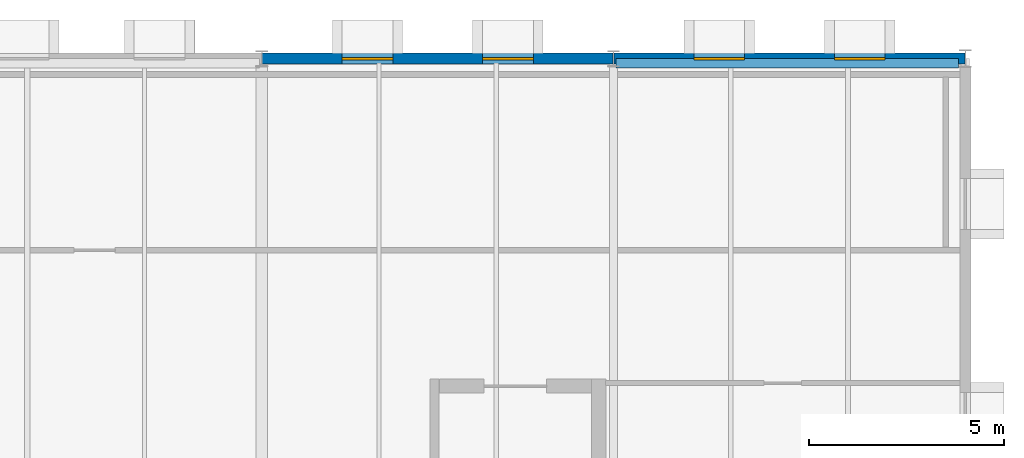
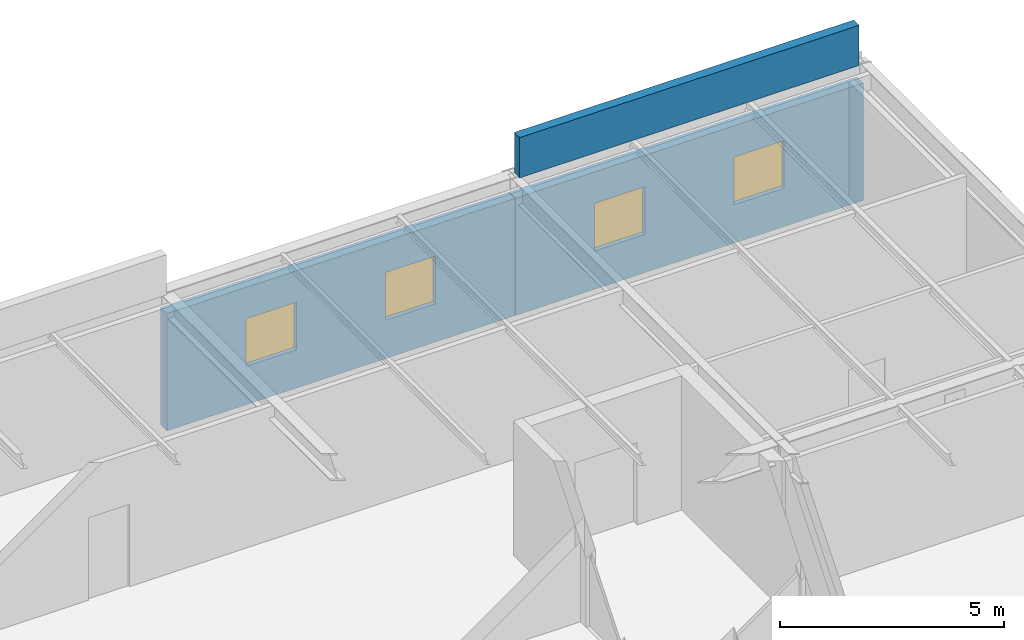
# One storey, part 15 of 16: 4 windows, 3 walls, 4 openings.
"""IFC4 building model written with IfcOpenShell, lengths in metres."""

import ifcopenshell
import ifcopenshell.guid

model = None  # the IFC model being written
_history = None  # IfcOwnerHistory: only IFC2X3 demands one
_inside = {}  # id of a spatial element -> (the spatial element, [elements in it])
_under = {}  # id of a project, library or spatial element -> (it, [spatial elements below it])
_declared = {}  # id of a project -> (the project, [libraries it declares])
_typed = {}  # id of a type object -> (the type object, [elements of that type])
_made_of = {}  # id of a material, layer set ... -> (it, [elements and type objects made of it])


def new_model(schema):
    """Start an empty IFC model of exactly this schema.

    Asked for "IFC4X3", IfcOpenShell would pick the latest addendum, in which some entities
    have other attributes; the version numbers below select the first issue.
    IFC2X3 requires an IfcOwnerHistory on every rooted entity: one is made here for all.
    """
    global model, _history
    if schema == "IFC4X3":
        model = ifcopenshell.file(schema_version=(4, 3, 0, 0))
    else:
        model = ifcopenshell.file(schema=schema)
    _inside.clear()
    _under.clear()
    _declared.clear()
    _typed.clear()
    _made_of.clear()
    _history = None
    if model.schema == "IFC2X3":
        org = make("IfcOrganization", Name="unknown")
        user = make(
            "IfcPersonAndOrganization",
            ThePerson=make("IfcPerson", FamilyName="unknown"),
            TheOrganization=org,
        )
        app = make(
            "IfcApplication",
            ApplicationDeveloper=org,
            Version="unknown",
            ApplicationFullName="unknown",
            ApplicationIdentifier="unknown",
        )
        _history = make(
            "IfcOwnerHistory",
            OwningUser=user,
            OwningApplication=app,
            ChangeAction="ADDED",
            CreationDate=0,
        )
    return model


def make(cls, **values):
    """One entity of the class cls with the attributes given. An attribute that is None is left unset."""
    return model.create_entity(
        cls, **{name: value for name, value in values.items() if value is not None}
    )


def rooted(cls, **values):
    """An entity with a GlobalId (a new one), such as an element, a storey or a relation."""
    return make(cls, GlobalId=ifcopenshell.guid.new(), OwnerHistory=_history, **values)


def si_unit(unit_type, name, prefix=None):
    """IfcSIUnit, for example si_unit("LENGTHUNIT", "METRE", prefix="MILLI")."""
    return make("IfcSIUnit", UnitType=unit_type, Prefix=prefix, Name=name)


def assignment(units):
    """IfcUnitAssignment: the units of a project."""
    return None if units is None else make("IfcUnitAssignment", Units=units)


def point(xyz):
    """IfcCartesianPoint."""
    return None if xyz is None else make("IfcCartesianPoint", Coordinates=xyz)


def direction(xyz):
    """IfcDirection."""
    return None if xyz is None else make("IfcDirection", DirectionRatios=xyz)


def frame(location, z_axis=None, x_axis=None):
    """IfcAxis2Placement3D, a coordinate frame: its origin and axes. An axis left out is left unset."""
    return make(
        "IfcAxis2Placement3D",
        Location=point(location),
        Axis=direction(z_axis),
        RefDirection=direction(x_axis),
    )


def frame_2d(location, x_axis=None):
    """IfcAxis2Placement2D, a coordinate frame in the plane: its origin and x axis."""
    return make(
        "IfcAxis2Placement2D", Location=point(location), RefDirection=direction(x_axis)
    )


def origin():
    """The frame at (0, 0, 0) with its axes left unset."""
    return frame((0.0, 0.0, 0.0))


def place(relative_to, where):
    """IfcLocalPlacement: puts the frame where relative to a parent placement (None: the world)."""
    return make(
        "IfcLocalPlacement", PlacementRelTo=relative_to, RelativePlacement=where
    )


def context(
    kind, dimensions, precision=None, world=None, true_north=None, identifier=None
):
    """IfcGeometricRepresentationContext, for example the 3D "Model" context."""
    return make(
        "IfcGeometricRepresentationContext",
        ContextIdentifier=identifier,
        ContextType=kind,
        CoordinateSpaceDimension=dimensions,
        Precision=precision,
        WorldCoordinateSystem=world,
        TrueNorth=true_north,
    )


def subcontext(parent, identifier, kind, view, scale=None):
    """IfcGeometricRepresentationSubContext, for example "Body" below "Model"."""
    return make(
        "IfcGeometricRepresentationSubContext",
        ContextIdentifier=identifier,
        ContextType=kind,
        ParentContext=parent,
        TargetScale=scale,
        TargetView=view,
    )


def project(units=None, contexts=None):
    """IfcProject with its units and contexts."""
    return rooted(
        "IfcProject",
        Name="project",
        RepresentationContexts=contexts,
        UnitsInContext=assignment(units),
    )


def spatial(cls, under=None, at=None, **own):
    """A site, building, storey or space (cls), placed at a placement, below another one or the project."""
    s = rooted(cls, ObjectPlacement=at, **own)
    if under is not None:
        _under.setdefault(under.id(), (under, []))[1].append(s)
    return s


def profile(cls, at=None, kind="AREA", **sizes):
    """A parametric profile (cls). Its sizes go by their IFC names, for example OverallWidth=200.0."""
    return make(cls, ProfileType=kind, Position=at, **sizes)


def rectangle(**sizes):
    """IfcRectangleProfileDef."""
    return profile("IfcRectangleProfileDef", **sizes)


def extrude(swept, where, along, depth):
    """IfcExtrudedAreaSolid: the profile swept, set in the frame where, extruded along a direction by depth."""
    return make(
        "IfcExtrudedAreaSolid",
        SweptArea=swept,
        Position=where,
        ExtrudedDirection=direction(along),
        Depth=depth,
    )


def shape(context_of_items, identifier, shape_type, items):
    """IfcShapeRepresentation: the items that make up one representation, for example the "Body"."""
    return make(
        "IfcShapeRepresentation",
        ContextOfItems=context_of_items,
        RepresentationIdentifier=identifier,
        RepresentationType=shape_type,
        Items=items,
    )


def material(Name=None, Category=None):
    """IfcMaterial."""
    return make("IfcMaterial", Name=Name, Category=Category)


def layer(
    of_material, thickness, ventilated=None, Name=None, Category=None, Priority=None
):
    """IfcMaterialLayer: one layer of a wall or slab, of a material (None: an air gap)."""
    return make(
        "IfcMaterialLayer",
        Material=of_material,
        LayerThickness=thickness,
        IsVentilated=ventilated,
        Name=Name,
        Category=Category,
        Priority=Priority,
    )


def layer_set(layers, Name=None):
    """IfcMaterialLayerSet."""
    return make("IfcMaterialLayerSet", MaterialLayers=layers, LayerSetName=Name)


def made_of(thing, what):
    """Note that an element or type object is made of a material, layer set ...; save() writes the relation."""
    if what is not None:
        _made_of.setdefault(what.id(), (what, []))[1].append(thing)
    return thing


def type_object(cls, material=None, **own):
    """A type object (cls), such as IfcWallType, which elements share."""
    return made_of(rooted(cls, **own), material)


def element(
    cls,
    number,
    at=None,
    inside=None,
    cuts=None,
    type_object=None,
    material=None,
    context=None,
    identifier="Body",
    shape_type=None,
    held_by="IfcProductDefinitionShape",
    body=None,
    shapes=None,
    **own,
):
    """One element of the class cls, such as IfcWall. Its Tag is "e" and its number.

    at: its placement. inside: the storey or other place that contains it. cuts: it is an
    opening in that element (IfcRelVoidsElement). A single representation is given by context,
    identifier, shape_type and body (its items); several are given by shapes. held_by: the class
    of the entity that holds the representations. save() writes the other relations.
    """
    e = rooted(cls, Tag="e%d" % number, ObjectPlacement=at, **own)
    if body is not None:
        shapes = [shape(context, identifier, shape_type, body)]
    if shapes is not None:
        e.Representation = make(held_by, Representations=shapes)
    if inside is not None:
        _inside.setdefault(inside.id(), (inside, []))[1].append(e)
    if cuts is not None:
        rooted(
            "IfcRelVoidsElement", RelatingBuildingElement=cuts, RelatedOpeningElement=e
        )
    if type_object is not None:
        _typed.setdefault(type_object.id(), (type_object, []))[1].append(e)
    return made_of(e, material)


def fill(opening, filler):
    """IfcRelFillsElement: the door or window that sits in an opening."""
    return rooted(
        "IfcRelFillsElement",
        RelatingOpeningElement=opening,
        RelatedBuildingElement=filler,
    )


def aggregate(whole, parts):
    """IfcRelAggregates: a whole, such as a stair, and the parts it consists of."""
    return rooted("IfcRelAggregates", RelatingObject=whole, RelatedObjects=parts)


def save(model, path):
    """Write the relations noted so far, then the file.

    IfcRelAggregates (storeys below a building ...), IfcRelContainedInSpatialStructure (elements
    in a storey), IfcRelDefinesByType, IfcRelAssociatesMaterial and IfcRelDeclares: one each for
    every whole, place, type object, material and project.
    """
    for whole, parts in _under.values():
        aggregate(whole, parts)
    for where, things in _inside.values():
        rooted(
            "IfcRelContainedInSpatialStructure",
            RelatedElements=things,
            RelatingStructure=where,
        )
    for kind, things in _typed.values():
        rooted("IfcRelDefinesByType", RelatedObjects=things, RelatingType=kind)
    for what, things in _made_of.values():
        rooted("IfcRelAssociatesMaterial", RelatedObjects=things, RelatingMaterial=what)
    for by, libraries in _declared.values():
        rooted("IfcRelDeclares", RelatingContext=by, RelatedDefinitions=libraries)
    model.write(path)


model = new_model("IFC4")

# Units and contexts
model_context = context("Model", 3, precision=1e-05, world=origin(), true_north=direction((0.0, 1.0)))
body_context = subcontext(model_context, "Body", "Model", "MODEL_VIEW")
ifc_project = project(units=[si_unit("LENGTHUNIT", "METRE"), si_unit("AREAUNIT", "SQUARE_METRE"), si_unit("VOLUMEUNIT", "CUBIC_METRE"), si_unit("PLANEANGLEUNIT", "RADIAN"), si_unit("MASSUNIT", "GRAM", prefix="KILO")], contexts=[model_context])

# Site, building, storey
site_placement = place(None, origin())
site = spatial("IfcSite", under=ifc_project, at=site_placement, CompositionType="ELEMENT")
building_placement = place(site_placement, origin())
building = spatial("IfcBuilding", under=site, at=building_placement, Name="Montelvaro Courts of Justice", CompositionType="ELEMENT")
storey_placement = place(building_placement, frame((0.0, 0.0, 35.39990234375)))
storey = spatial("IfcBuildingStorey", under=building, at=storey_placement, Name="L08", CompositionType="ELEMENT", Elevation=35.39990234375)

# Wall, openings, windows
ifc_material_1 = material(Name="White mineral precast concrete C45/55", Category="concrete")
ifc_layer_1 = layer(ifc_material_1, 0.280029296875)
ifc_layer_set_1 = layer_set([ifc_layer_1], Name="White mineral precast concrete C45/55")
wall_type_1 = type_object("IfcWallType", Name="ExtWall_GFRC_280", PredefinedType="SOLIDWALL", material=ifc_layer_set_1)
wall_1_placement = place(storey_placement, frame((125.991943359375, 24.0, 0.0), z_axis=(0.0, 0.0, 1.0), x_axis=(-1.0, 0.0, 0.0)))
wall_1 = element("IfcWall", 1, at=wall_1_placement, inside=storey, type_object=wall_type_1, Name="Exterior Facade Wall EW-01 (L08)", PredefinedType="SOLIDWALL", context=body_context, shape_type="SweptSolid", body=[
    extrude(rectangle(XDim=8.98388671875, YDim=0.280029296875, at=frame_2d((4.491943359375, 0.0))), origin(), (0.0, 0.0, 1.0), 3.205078125),
])
opening_1_placement = place(wall_1_placement, frame((2.044921875, 0.0, 1.050048828125)))
opening_1 = element("IfcOpeningElement", 2, at=opening_1_placement, cuts=wall_1, Name="Opening WE-18", PredefinedType="OPENING", context=body_context, shape_type="SweptSolid", body=[
    extrude(rectangle(XDim=1.300048828125, YDim=1.300048828125, at=frame_2d((0.64990234375, 0.64990234375))), frame((0.0, 0.15478515625, 0.0), z_axis=(0.0, -1.0, 0.0), x_axis=(1.0, 0.0, 0.0)), (0.0, 0.0, 1.0), 0.309814453125),
])
opening_2_placement = place(wall_1_placement, frame((5.638916015625, 0.0, 1.050048828125)))
opening_2 = element("IfcOpeningElement", 3, at=opening_2_placement, cuts=wall_1, Name="Opening WE-18", PredefinedType="OPENING", context=body_context, shape_type="SweptSolid", body=[
    extrude(rectangle(XDim=1.300048828125, YDim=1.300048828125, at=frame_2d((0.64990234375, 0.64990234375))), frame((0.0, 0.15478515625, 0.0), z_axis=(0.0, -1.0, 0.0), x_axis=(1.0, 0.0, 0.0)), (0.0, 0.0, 1.0), 0.309814453125),
])
ifc_material_2 = material(Name="Low-E solar control double glazing", Category="glass")
window_type = type_object("IfcWindowType", Name="Win_Sq_130x130", PartitioningType="SINGLE_PANEL", PredefinedType="WINDOW", material=ifc_material_2)
window_1_placement = place(opening_1_placement, origin())
window_1 = element("IfcWindow", 4, at=window_1_placement, inside=storey, type_object=window_type, Name="Window W-L08-408", OverallHeight=1.300048828125, OverallWidth=1.300048828125, PartitioningType="SINGLE_PANEL", PredefinedType="WINDOW", context=body_context, shape_type="SweptSolid", body=[
    extrude(rectangle(XDim=1.300048828125, YDim=1.300048828125, at=frame_2d((0.64990234375, 0.64990234375))), frame((0.0, 0.030029296875, 0.0), z_axis=(0.0, -1.0, 0.0), x_axis=(1.0, 0.0, 0.0)), (0.0, 0.0, 1.0), 0.06005859375),
])
fill(opening_1, window_1)
window_2_placement = place(opening_2_placement, origin())
window_2 = element("IfcWindow", 5, at=window_2_placement, inside=storey, type_object=window_type, Name="Window W-L08-409", OverallHeight=1.300048828125, OverallWidth=1.300048828125, PartitioningType="SINGLE_PANEL", PredefinedType="WINDOW", context=body_context, shape_type="SweptSolid", body=[
    extrude(rectangle(XDim=1.300048828125, YDim=1.300048828125, at=frame_2d((0.64990234375, 0.64990234375))), frame((0.0, 0.030029296875, 0.0), z_axis=(0.0, -1.0, 0.0), x_axis=(1.0, 0.0, 0.0)), (0.0, 0.0, 1.0), 0.06005859375),
])
fill(opening_2, window_2)

wall_2_placement = place(storey_placement, frame((116.991943359375, 24.0, 0.0), z_axis=(0.0, 0.0, 1.0), x_axis=(-1.0, 0.0, 0.0)))
wall_2 = element("IfcWall", 6, at=wall_2_placement, inside=storey, type_object=wall_type_1, Name="Exterior Facade Wall EW-01 (L08)", PredefinedType="SOLIDWALL", context=body_context, shape_type="SweptSolid", body=[
    extrude(rectangle(XDim=8.98388671875, YDim=0.280029296875, at=frame_2d((4.491943359375, 0.0))), origin(), (0.0, 0.0, 1.0), 3.205078125),
])
opening_3_placement = place(wall_2_placement, frame((2.044921875, 0.0, 1.050048828125)))
opening_3 = element("IfcOpeningElement", 7, at=opening_3_placement, cuts=wall_2, Name="Opening WE-18", PredefinedType="OPENING", context=body_context, shape_type="SweptSolid", body=[
    extrude(rectangle(XDim=1.300048828125, YDim=1.300048828125, at=frame_2d((0.64990234375, 0.64990234375))), frame((0.0, 0.15478515625, 0.0), z_axis=(0.0, -1.0, 0.0), x_axis=(1.0, 0.0, 0.0)), (0.0, 0.0, 1.0), 0.309814453125),
])
opening_4_placement = place(wall_2_placement, frame((5.638916015625, 0.0, 1.050048828125)))
opening_4 = element("IfcOpeningElement", 8, at=opening_4_placement, cuts=wall_2, Name="Opening WE-18", PredefinedType="OPENING", context=body_context, shape_type="SweptSolid", body=[
    extrude(rectangle(XDim=1.300048828125, YDim=1.300048828125, at=frame_2d((0.64990234375, 0.64990234375))), frame((0.0, 0.15478515625, 0.0), z_axis=(0.0, -1.0, 0.0), x_axis=(1.0, 0.0, 0.0)), (0.0, 0.0, 1.0), 0.309814453125),
])
window_3_placement = place(opening_3_placement, origin())
window_3 = element("IfcWindow", 9, at=window_3_placement, inside=storey, type_object=window_type, Name="Window W-L08-410", OverallHeight=1.300048828125, OverallWidth=1.300048828125, PartitioningType="SINGLE_PANEL", PredefinedType="WINDOW", context=body_context, shape_type="SweptSolid", body=[
    extrude(rectangle(XDim=1.300048828125, YDim=1.300048828125, at=frame_2d((0.64990234375, 0.64990234375))), frame((0.0, 0.030029296875, 0.0), z_axis=(0.0, -1.0, 0.0), x_axis=(1.0, 0.0, 0.0)), (0.0, 0.0, 1.0), 0.06005859375),
])
fill(opening_3, window_3)
window_4_placement = place(opening_4_placement, origin())
window_4 = element("IfcWindow", 10, at=window_4_placement, inside=storey, type_object=window_type, Name="Window W-L08-411", OverallHeight=1.300048828125, OverallWidth=1.300048828125, PartitioningType="SINGLE_PANEL", PredefinedType="WINDOW", context=body_context, shape_type="SweptSolid", body=[
    extrude(rectangle(XDim=1.300048828125, YDim=1.300048828125, at=frame_2d((0.64990234375, 0.64990234375))), frame((0.0, 0.030029296875, 0.0), z_axis=(0.0, -1.0, 0.0), x_axis=(1.0, 0.0, 0.0)), (0.0, 0.0, 1.0), 0.06005859375),
])
fill(opening_4, window_4)

# Wall
ifc_layer_2 = layer(ifc_material_1, 0.239990234375)
ifc_layer_set_2 = layer_set([ifc_layer_2], Name="White mineral precast concrete C45/55")
wall_type_2 = type_object("IfcWallType", Name="ParapetWall_240", PredefinedType="PARAPET", material=ifc_layer_set_2)
wall_3_placement = place(storey_placement, frame((125.820068359375, 23.8798828125, 3.800048828125), z_axis=(0.0, 0.0, 1.0), x_axis=(-1.0, 0.0, 0.0)))
element("IfcWall", 11, at=wall_3_placement, inside=storey, type_object=wall_type_2, Name="Roof Parapet PW-01 L08-008", PredefinedType="PARAPET", context=body_context, shape_type="SweptSolid", body=[
    extrude(rectangle(XDim=8.760009765625, YDim=0.239990234375, at=frame_2d((4.3798828125, 0.0))), origin(), (0.0, 0.0, 1.0), 1.10009765625),
])

save(model, "model.ifc")
